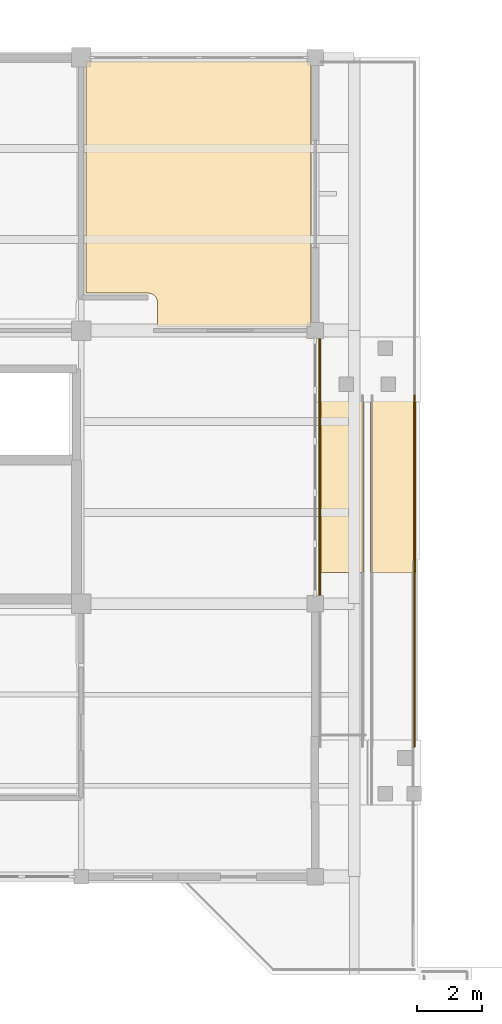
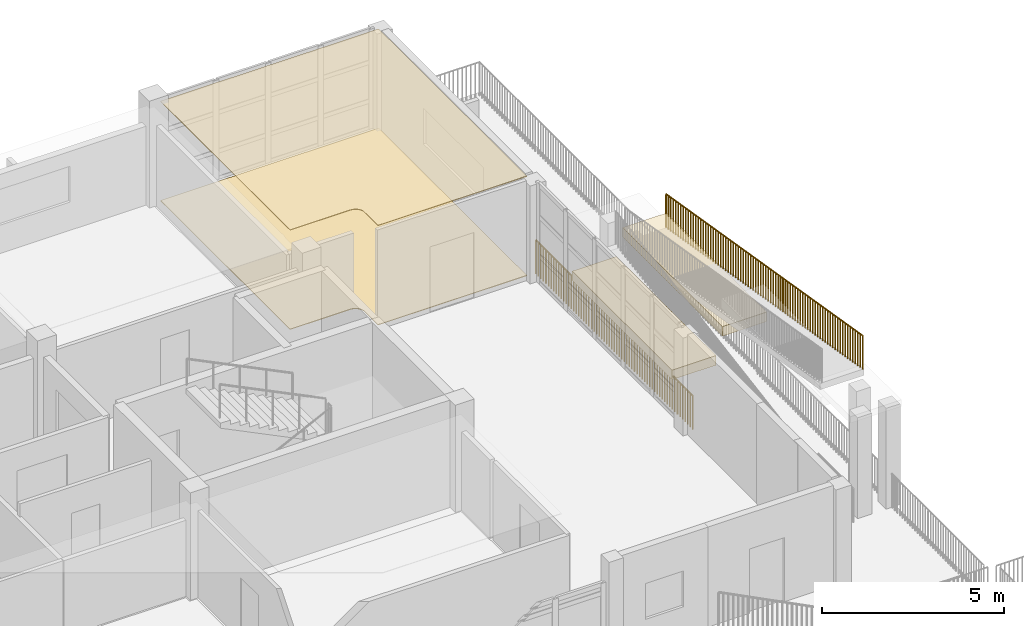
# One storey, part 32 of 33: 4 coverings, 2 railings.
"""IFC4 building model written with IfcOpenShell, lengths in metres."""

from ifc_helpers import new_model, si_unit, direction, frame, origin, origin_2d, place, context, subcontext, project, spatial, polyline, rectangle, circle, outline, extrude, material, layer, layer_set, type_object, element, save


model = new_model("IFC4")

# Units and contexts
model_context = context("Model", 3, precision=1e-05, world=origin(), true_north=direction((0.0, 1.0)))
body_context = subcontext(model_context, "Body", "Model", "MODEL_VIEW")
ifc_project = project(units=[si_unit("LENGTHUNIT", "METRE"), si_unit("AREAUNIT", "SQUARE_METRE"), si_unit("VOLUMEUNIT", "CUBIC_METRE"), si_unit("PLANEANGLEUNIT", "RADIAN"), si_unit("MASSUNIT", "GRAM", prefix="KILO")], contexts=[model_context])

# Site, building, storey
site_placement = place(None, origin())
site = spatial("IfcSite", under=ifc_project, at=site_placement, CompositionType="ELEMENT")
building_placement = place(site_placement, origin())
building = spatial("IfcBuilding", under=site, at=building_placement, Name="Vanh Quang Courtyard School", CompositionType="ELEMENT")
storey_placement = place(building_placement, frame((0.0, 0.0, 18.60009765625)))
storey = spatial("IfcBuildingStorey", under=building, at=storey_placement, Name="L05", CompositionType="ELEMENT", Elevation=18.60009765625)

# Coverings
ifc_material_1 = material(Name="Perforated mineral-fibre acoustic ceiling board")
ifc_layer_1 = layer(ifc_material_1, 0.02490234375)
ifc_layer_set_1 = layer_set([ifc_layer_1], Name="Perforated mineral-fibre acoustic ceiling board")
covering_type_1 = type_object("IfcCoveringType", Name="COV-CEIL-ACOUSTIC", PredefinedType="CEILING", material=ifc_layer_set_1)
covering_1_placement = place(storey_placement, frame((0.0, 0.0, 3.324951171875)))
element("IfcCovering", 1, at=covering_1_placement, inside=storey, type_object=covering_type_1, Name="Covering CV-CL1 (L05)", PredefinedType="CEILING", context=body_context, shape_type="SweptSolid", body=[
    extrude(outline(polyline([(102.75, 96.4599609375), (102.75, 96.4609375), (102.750244140625, 96.4619140625), (102.75048828125, 96.462890625), (102.750732421875, 96.4638671875), (102.751220703125, 96.464599609375), (102.751708984375, 96.465576171875), (102.752197265625, 96.46630859375), (102.7529296875, 96.467041015625), (102.753662109375, 96.4677734375), (102.75439453125, 96.46826171875), (102.75537109375, 96.46875), (102.756103515625, 96.46923828125), (102.757080078125, 96.469482421875), (102.758056640625, 96.4697265625), (102.759033203125, 96.469970703125), (102.760009765625, 96.469970703125), (109.659912109375, 96.469970703125), (109.660888671875, 96.469970703125), (109.662109375, 96.4697265625), (109.662841796875, 96.469482421875), (109.663818359375, 96.46923828125), (109.664794921875, 96.46875), (109.66552734375, 96.46826171875), (109.666259765625, 96.4677734375), (109.6669921875, 96.467041015625), (109.667724609375, 96.46630859375), (109.668212890625, 96.465576171875), (109.668701171875, 96.464599609375), (109.669189453125, 96.4638671875), (109.669677734375, 96.462890625), (109.669921875, 96.4619140625), (109.669921875, 96.4609375), (109.669921875, 96.4599609375), (109.669921875, 88.340087890625), (109.669921875, 88.339111328125), (109.669921875, 88.337890625), (109.669677734375, 88.337158203125), (109.669189453125, 88.336181640625), (109.668701171875, 88.335205078125), (109.668212890625, 88.33447265625), (109.667724609375, 88.333740234375), (109.6669921875, 88.3330078125), (109.666259765625, 88.332275390625), (109.66552734375, 88.331787109375), (109.664794921875, 88.331298828125), (109.663818359375, 88.330810546875), (109.662841796875, 88.330322265625), (109.662109375, 88.330078125), (109.660888671875, 88.330078125), (109.659912109375, 88.330078125), (104.9599609375, 88.330078125), (104.958984375, 88.330078125), (104.9580078125, 88.330078125), (104.95703125, 88.330322265625), (104.956298828125, 88.330810546875), (104.955322265625, 88.331298828125), (104.95458984375, 88.331787109375), (104.95361328125, 88.332275390625), (104.952880859375, 88.3330078125), (104.952392578125, 88.33349609375), (104.95166015625, 88.33447265625), (104.951171875, 88.335205078125), (104.95068359375, 88.336181640625), (104.950439453125, 88.337158203125), (104.9501953125, 88.337890625), (104.9501953125, 88.339111328125), (104.949951171875, 88.33984375), (104.9453125, 89.1103515625), (104.92529296875, 89.177001953125), (104.88818359375, 89.23876953125), (104.838623046875, 89.2880859375), (104.77685546875, 89.3251953125), (104.72314453125, 89.343017578125), (104.659423828125, 89.35009765625), (102.760009765625, 89.35009765625), (102.759033203125, 89.35009765625), (102.758056640625, 89.35009765625), (102.757080078125, 89.350341796875), (102.756103515625, 89.350830078125), (102.75537109375, 89.351318359375), (102.75439453125, 89.351806640625), (102.753662109375, 89.352294921875), (102.7529296875, 89.352783203125), (102.752197265625, 89.353759765625), (102.751708984375, 89.3544921875), (102.751220703125, 89.355224609375), (102.750732421875, 89.356201171875), (102.75048828125, 89.357177734375), (102.750244140625, 89.35791015625), (102.75, 89.35888671875), (102.75, 89.360107421875), (102.75, 96.4599609375)])), origin(), (0.0, 0.0, 1.0), 0.02490234375),
])
ifc_material_2 = material(Name="Polished cementitious terrazzo tile", Category="concrete")
ifc_layer_2 = layer(ifc_material_2, 0.02001953125)
ifc_layer_set_2 = layer_set([ifc_layer_2], Name="Polished cementitious terrazzo tile")
covering_type_2 = type_object("IfcCoveringType", Name="COV-FLR-TERRAZZO", PredefinedType="FLOORING", material=ifc_layer_set_2)
covering_2_placement = place(storey_placement, origin())
element("IfcCovering", 2, at=covering_2_placement, inside=storey, type_object=covering_type_2, Name="Covering CV-FL1 (L05)", PredefinedType="FLOORING", context=body_context, shape_type="SweptSolid", body=[
    extrude(outline(polyline([(102.75, 96.4599609375), (102.75, 96.4609375), (102.750244140625, 96.4619140625), (102.75048828125, 96.462890625), (102.750732421875, 96.4638671875), (102.751220703125, 96.464599609375), (102.751708984375, 96.465576171875), (102.752197265625, 96.46630859375), (102.7529296875, 96.467041015625), (102.753662109375, 96.4677734375), (102.75439453125, 96.46826171875), (102.75537109375, 96.46875), (102.756103515625, 96.46923828125), (102.757080078125, 96.469482421875), (102.758056640625, 96.4697265625), (102.759033203125, 96.469970703125), (102.760009765625, 96.469970703125), (109.659912109375, 96.469970703125), (109.660888671875, 96.469970703125), (109.662109375, 96.4697265625), (109.662841796875, 96.469482421875), (109.663818359375, 96.46923828125), (109.664794921875, 96.46875), (109.66552734375, 96.46826171875), (109.666259765625, 96.4677734375), (109.6669921875, 96.467041015625), (109.667724609375, 96.46630859375), (109.668212890625, 96.465576171875), (109.668701171875, 96.464599609375), (109.669189453125, 96.4638671875), (109.669677734375, 96.462890625), (109.669921875, 96.4619140625), (109.669921875, 96.4609375), (109.669921875, 96.4599609375), (109.669921875, 88.340087890625), (109.669921875, 88.339111328125), (109.669921875, 88.337890625), (109.669677734375, 88.337158203125), (109.669189453125, 88.336181640625), (109.668701171875, 88.335205078125), (109.668212890625, 88.33447265625), (109.667724609375, 88.333740234375), (109.6669921875, 88.3330078125), (109.666259765625, 88.332275390625), (109.66552734375, 88.331787109375), (109.664794921875, 88.331298828125), (109.663818359375, 88.330810546875), (109.662841796875, 88.330322265625), (109.662109375, 88.330078125), (109.660888671875, 88.330078125), (109.659912109375, 88.330078125), (104.9599609375, 88.330078125), (104.958984375, 88.330078125), (104.9580078125, 88.330078125), (104.95703125, 88.330322265625), (104.956298828125, 88.330810546875), (104.955322265625, 88.331298828125), (104.95458984375, 88.331787109375), (104.95361328125, 88.332275390625), (104.952880859375, 88.3330078125), (104.952392578125, 88.33349609375), (104.95166015625, 88.33447265625), (104.951171875, 88.335205078125), (104.95068359375, 88.336181640625), (104.950439453125, 88.337158203125), (104.9501953125, 88.337890625), (104.9501953125, 88.339111328125), (104.949951171875, 88.33984375), (104.9453125, 89.1103515625), (104.92529296875, 89.177001953125), (104.88818359375, 89.23876953125), (104.838623046875, 89.2880859375), (104.77685546875, 89.3251953125), (104.72314453125, 89.343017578125), (104.659423828125, 89.35009765625), (102.760009765625, 89.35009765625), (102.759033203125, 89.35009765625), (102.758056640625, 89.35009765625), (102.757080078125, 89.350341796875), (102.756103515625, 89.350830078125), (102.75537109375, 89.351318359375), (102.75439453125, 89.351806640625), (102.753662109375, 89.352294921875), (102.7529296875, 89.352783203125), (102.752197265625, 89.353759765625), (102.751708984375, 89.3544921875), (102.751220703125, 89.355224609375), (102.750732421875, 89.356201171875), (102.75048828125, 89.357177734375), (102.750244140625, 89.35791015625), (102.75, 89.35888671875), (102.75, 89.360107421875), (102.75, 96.4599609375)])), origin(), (0.0, 0.0, 1.0), 0.02001953125),
])
ifc_material_3 = material(Name="Board-marked precast concrete C40/50", Category="concrete")
ifc_layer_3 = layer(ifc_material_3, 0.239990234375)
ifc_layer_set_3 = layer_set([ifc_layer_3], Name="Board-marked precast concrete C40/50")
covering_type_3 = type_object("IfcCoveringType", Name="COV-HOOD-CONC", PredefinedType="CLADDING", material=ifc_layer_set_3)
for number, where, z_axis, x_axis, name in (
    (3, (110.60009765625, 83.5, 1.02978515625), (0.0, 0.0, 1.0), (1.0, 0.0, 0.0), "Covering CH-01 (L05)"),
    (4, (112.199951171875, 83.5, 1.9296875), (0.0, 0.0, 1.0), (1.0, 0.0, 0.0), "Covering CH-01 (L05)"),
):
    element("IfcCovering", number, at=place(storey_placement, frame(where, z_axis=z_axis, x_axis=x_axis)), inside=storey, type_object=covering_type_3, Name=name, PredefinedType="CLADDING", context=body_context, shape_type="SweptSolid", body=[
        extrude(rectangle(XDim=1.39990234375, YDim=5.47998046875, at=origin_2d()), origin(), (0.0, 0.0, 1.0), 0.320068359375),
    ])

# Railings
ifc_material_4 = material(Name="Galvanised painted steel EN 10025-2 S355J2", Category="steel")
railing_type = type_object("IfcRailingType", Name="RAIL-GUARD-1150", PredefinedType="BALUSTRADE", material=ifc_material_4)
railing_1_placement = place(storey_placement, frame((109.93994140625, 79.694580078125, 0.0)))
element("IfcRailing", 5, at=railing_1_placement, inside=storey, type_object=railing_type, Name="Railing GR-01 (L05)", PredefinedType="BALUSTRADE", context=body_context, shape_type="SweptSolid", body=[
    extrude(circle(Radius=0.02392578125, at=origin_2d()), frame((0.0, 0.0, 1.1259765625), z_axis=(0.0, 1.0, 0.0), x_axis=(-1.0, 0.0, 0.0)), (0.0, 0.0, 1.0), 8.61083984375),
    extrude(circle(Radius=0.02099609375, at=origin_2d()), origin(), (0.0, 0.0, 1.0), 1.101806640625),
    extrude(circle(Radius=0.02099609375, at=origin_2d()), frame((0.0, 0.138916015625, 0.0)), (0.0, 0.0, 1.0), 1.101806640625),
    extrude(circle(Radius=0.02099609375, at=origin_2d()), frame((0.0, 0.27783203125, 0.0)), (0.0, 0.0, 1.0), 1.101806640625),
    extrude(circle(Radius=0.02099609375, at=origin_2d()), frame((0.0, 0.416748046875, 0.0)), (0.0, 0.0, 1.0), 1.101806640625),
    extrude(circle(Radius=0.02099609375, at=origin_2d()), frame((0.0, 0.555419921875, 0.0)), (0.0, 0.0, 1.0), 1.101806640625),
    extrude(circle(Radius=0.02099609375, at=origin_2d()), frame((0.0, 0.6943359375, 0.0)), (0.0, 0.0, 1.0), 1.101806640625),
    extrude(circle(Radius=0.02099609375, at=origin_2d()), frame((0.0, 0.833251953125, 0.0)), (0.0, 0.0, 1.0), 1.101806640625),
    extrude(circle(Radius=0.02099609375, at=origin_2d()), frame((0.0, 0.97216796875, 0.0)), (0.0, 0.0, 1.0), 1.101806640625),
    extrude(circle(Radius=0.02099609375, at=origin_2d()), frame((0.0, 1.111083984375, 0.0)), (0.0, 0.0, 1.0), 1.101806640625),
    extrude(circle(Radius=0.02099609375, at=origin_2d()), frame((0.0, 1.25, 0.0)), (0.0, 0.0, 1.0), 1.101806640625),
    extrude(circle(Radius=0.02099609375, at=origin_2d()), frame((0.0, 1.388916015625, 0.0)), (0.0, 0.0, 1.0), 1.101806640625),
    extrude(circle(Radius=0.02099609375, at=origin_2d()), frame((0.0, 1.52783203125, 0.0)), (0.0, 0.0, 1.0), 1.101806640625),
    extrude(circle(Radius=0.02099609375, at=origin_2d()), frame((0.0, 1.66650390625, 0.0)), (0.0, 0.0, 1.0), 1.101806640625),
    extrude(circle(Radius=0.02099609375, at=origin_2d()), frame((0.0, 1.805419921875, 0.0)), (0.0, 0.0, 1.0), 1.101806640625),
    extrude(circle(Radius=0.02099609375, at=origin_2d()), frame((0.0, 1.9443359375, 0.0)), (0.0, 0.0, 1.0), 1.101806640625),
    extrude(circle(Radius=0.02099609375, at=origin_2d()), frame((0.0, 2.083251953125, 0.0)), (0.0, 0.0, 1.0), 1.101806640625),
    extrude(circle(Radius=0.02099609375, at=origin_2d()), frame((0.0, 2.22216796875, 0.0)), (0.0, 0.0, 1.0), 1.101806640625),
    extrude(circle(Radius=0.02099609375, at=origin_2d()), frame((0.0, 2.361083984375, 0.0)), (0.0, 0.0, 1.0), 1.101806640625),
    extrude(circle(Radius=0.02099609375, at=origin_2d()), frame((0.0, 2.5, 0.0)), (0.0, 0.0, 1.0), 1.101806640625),
    extrude(circle(Radius=0.02099609375, at=origin_2d()), frame((0.0, 2.638916015625, 0.0)), (0.0, 0.0, 1.0), 1.101806640625),
    extrude(circle(Radius=0.02099609375, at=origin_2d()), frame((0.0, 2.777587890625, 0.0)), (0.0, 0.0, 1.0), 1.101806640625),
    extrude(circle(Radius=0.02099609375, at=origin_2d()), frame((0.0, 2.91650390625, 0.0)), (0.0, 0.0, 1.0), 1.101806640625),
    extrude(circle(Radius=0.02099609375, at=origin_2d()), frame((0.0, 3.055419921875, 0.0)), (0.0, 0.0, 1.0), 1.101806640625),
    extrude(circle(Radius=0.02099609375, at=origin_2d()), frame((0.0, 3.1943359375, 0.0)), (0.0, 0.0, 1.0), 1.101806640625),
    extrude(circle(Radius=0.02099609375, at=origin_2d()), frame((0.0, 3.333251953125, 0.0)), (0.0, 0.0, 1.0), 1.101806640625),
    extrude(circle(Radius=0.02099609375, at=origin_2d()), frame((0.0, 3.47216796875, 0.0)), (0.0, 0.0, 1.0), 1.101806640625),
    extrude(circle(Radius=0.02099609375, at=origin_2d()), frame((0.0, 3.611083984375, 0.0)), (0.0, 0.0, 1.0), 1.101806640625),
    extrude(circle(Radius=0.02099609375, at=origin_2d()), frame((0.0, 3.75, 0.0)), (0.0, 0.0, 1.0), 1.101806640625),
    extrude(circle(Radius=0.02099609375, at=origin_2d()), frame((0.0, 3.888671875, 0.0)), (0.0, 0.0, 1.0), 1.101806640625),
    extrude(circle(Radius=0.02099609375, at=origin_2d()), frame((0.0, 4.027587890625, 0.0)), (0.0, 0.0, 1.0), 1.101806640625),
    extrude(circle(Radius=0.02099609375, at=origin_2d()), frame((0.0, 4.16650390625, 0.0)), (0.0, 0.0, 1.0), 1.101806640625),
    extrude(circle(Radius=0.02099609375, at=origin_2d()), frame((0.0, 4.305419921875, 0.0)), (0.0, 0.0, 1.0), 1.101806640625),
    extrude(circle(Radius=0.02099609375, at=origin_2d()), frame((0.0, 4.4443359375, 0.0)), (0.0, 0.0, 1.0), 1.101806640625),
    extrude(circle(Radius=0.02099609375, at=origin_2d()), frame((0.0, 4.583251953125, 0.0)), (0.0, 0.0, 1.0), 1.101806640625),
    extrude(circle(Radius=0.02099609375, at=origin_2d()), frame((0.0, 4.72216796875, 0.0)), (0.0, 0.0, 1.0), 1.101806640625),
    extrude(circle(Radius=0.02099609375, at=origin_2d()), frame((0.0, 4.86083984375, 0.0)), (0.0, 0.0, 1.0), 1.101806640625),
    extrude(circle(Radius=0.02099609375, at=origin_2d()), frame((0.0, 4.999755859375, 0.0)), (0.0, 0.0, 1.0), 1.101806640625),
    extrude(circle(Radius=0.02099609375, at=origin_2d()), frame((0.0, 5.138671875, 0.0)), (0.0, 0.0, 1.0), 1.101806640625),
    extrude(circle(Radius=0.02099609375, at=origin_2d()), frame((0.0, 5.277587890625, 0.0)), (0.0, 0.0, 1.0), 1.101806640625),
    extrude(circle(Radius=0.02099609375, at=origin_2d()), frame((0.0, 5.41650390625, 0.0)), (0.0, 0.0, 1.0), 1.101806640625),
    extrude(circle(Radius=0.02099609375, at=origin_2d()), frame((0.0, 5.555419921875, 0.0)), (0.0, 0.0, 1.0), 1.101806640625),
    extrude(circle(Radius=0.02099609375, at=origin_2d()), frame((0.0, 5.6943359375, 0.0)), (0.0, 0.0, 1.0), 1.101806640625),
    extrude(circle(Radius=0.02099609375, at=origin_2d()), frame((0.0, 5.833251953125, 0.0)), (0.0, 0.0, 1.0), 1.101806640625),
    extrude(circle(Radius=0.02099609375, at=origin_2d()), frame((0.0, 5.971923828125, 0.0)), (0.0, 0.0, 1.0), 1.101806640625),
    extrude(circle(Radius=0.02099609375, at=origin_2d()), frame((0.0, 6.11083984375, 0.0)), (0.0, 0.0, 1.0), 1.101806640625),
    extrude(circle(Radius=0.02099609375, at=origin_2d()), frame((0.0, 6.249755859375, 0.0)), (0.0, 0.0, 1.0), 1.101806640625),
    extrude(circle(Radius=0.02099609375, at=origin_2d()), frame((0.0, 6.388671875, 0.0)), (0.0, 0.0, 1.0), 1.101806640625),
    extrude(circle(Radius=0.02099609375, at=origin_2d()), frame((0.0, 6.527587890625, 0.0)), (0.0, 0.0, 1.0), 1.101806640625),
    extrude(circle(Radius=0.02099609375, at=origin_2d()), frame((0.0, 6.66650390625, 0.0)), (0.0, 0.0, 1.0), 1.101806640625),
    extrude(circle(Radius=0.02099609375, at=origin_2d()), frame((0.0, 6.805419921875, 0.0)), (0.0, 0.0, 1.0), 1.101806640625),
    extrude(circle(Radius=0.02099609375, at=origin_2d()), frame((0.0, 6.9443359375, 0.0)), (0.0, 0.0, 1.0), 1.101806640625),
    extrude(circle(Radius=0.02099609375, at=origin_2d()), frame((0.0, 7.0830078125, 0.0)), (0.0, 0.0, 1.0), 1.101806640625),
    extrude(circle(Radius=0.02099609375, at=origin_2d()), frame((0.0, 7.221923828125, 0.0)), (0.0, 0.0, 1.0), 1.101806640625),
    extrude(circle(Radius=0.02099609375, at=origin_2d()), frame((0.0, 7.36083984375, 0.0)), (0.0, 0.0, 1.0), 1.101806640625),
    extrude(circle(Radius=0.02099609375, at=origin_2d()), frame((0.0, 7.499755859375, 0.0)), (0.0, 0.0, 1.0), 1.101806640625),
    extrude(circle(Radius=0.02099609375, at=origin_2d()), frame((0.0, 7.638671875, 0.0)), (0.0, 0.0, 1.0), 1.101806640625),
    extrude(circle(Radius=0.02099609375, at=origin_2d()), frame((0.0, 7.777587890625, 0.0)), (0.0, 0.0, 1.0), 1.101806640625),
    extrude(circle(Radius=0.02099609375, at=origin_2d()), frame((0.0, 7.91650390625, 0.0)), (0.0, 0.0, 1.0), 1.101806640625),
    extrude(circle(Radius=0.02099609375, at=origin_2d()), frame((0.0, 8.055419921875, 0.0)), (0.0, 0.0, 1.0), 1.101806640625),
    extrude(circle(Radius=0.02099609375, at=origin_2d()), frame((0.0, 8.194091796875, 0.0)), (0.0, 0.0, 1.0), 1.101806640625),
    extrude(circle(Radius=0.02099609375, at=origin_2d()), frame((0.0, 8.3330078125, 0.0)), (0.0, 0.0, 1.0), 1.101806640625),
    extrude(circle(Radius=0.02099609375, at=origin_2d()), frame((0.0, 8.471923828125, 0.0)), (0.0, 0.0, 1.0), 1.101806640625),
    extrude(circle(Radius=0.02099609375, at=origin_2d()), frame((0.0, 8.61083984375, 0.0)), (0.0, 0.0, 1.0), 1.101806640625),
])
railing_2_placement = place(storey_placement, frame((112.85009765625, 86.199951171875, 1.7998046875)))
element("IfcRailing", 6, at=railing_2_placement, inside=storey, type_object=railing_type, Name="Railing GR-01 (L05)", PredefinedType="BALUSTRADE", context=body_context, shape_type="SweptSolid", body=[
    extrude(circle(Radius=0.02392578125, at=origin_2d()), frame((0.0, 0.0, 1.1259765625), z_axis=(0.0, -0.986393321179, 0.164402603184), x_axis=(1.0, 0.0, 0.0)), (0.0, 0.0, 1.0), 10.948974609375),
    extrude(circle(Radius=0.02099609375, at=origin_2d()), origin(), (0.0, 0.0, 1.0), 1.101806640625),
    extrude(circle(Radius=0.02099609375, at=origin_2d()), frame((0.0, -0.13671875, 0.022705078125)), (0.0, 0.0, 1.0), 1.101806640625),
    extrude(circle(Radius=0.02099609375, at=origin_2d()), frame((0.0, -0.2734375, 0.045654296875)), (0.0, 0.0, 1.0), 1.101806640625),
    extrude(circle(Radius=0.02099609375, at=origin_2d()), frame((0.0, -0.41015625, 0.068359375)), (0.0, 0.0, 1.0), 1.101806640625),
    extrude(circle(Radius=0.02099609375, at=origin_2d()), frame((0.0, -0.546875, 0.091064453125)), (0.0, 0.0, 1.0), 1.101806640625),
    extrude(circle(Radius=0.02099609375, at=origin_2d()), frame((0.0, -0.68359375, 0.114013671875)), (0.0, 0.0, 1.0), 1.101806640625),
    extrude(circle(Radius=0.02099609375, at=origin_2d()), frame((0.0, -0.8203125, 0.13671875)), (0.0, 0.0, 1.0), 1.101806640625),
    extrude(circle(Radius=0.02099609375, at=origin_2d()), frame((0.0, -0.95703125, 0.159423828125)), (0.0, 0.0, 1.0), 1.101806640625),
    extrude(circle(Radius=0.02099609375, at=origin_2d()), frame((0.0, -1.09375, 0.182373046875)), (0.0, 0.0, 1.0), 1.101806640625),
    extrude(circle(Radius=0.02099609375, at=origin_2d()), frame((0.0, -1.23046875, 0.205078125)), (0.0, 0.0, 1.0), 1.101806640625),
    extrude(circle(Radius=0.02099609375, at=origin_2d()), frame((0.0, -1.3671875, 0.227783203125)), (0.0, 0.0, 1.0), 1.101806640625),
    extrude(circle(Radius=0.02099609375, at=origin_2d()), frame((0.0, -1.50390625, 0.250732421875)), (0.0, 0.0, 1.0), 1.101806640625),
    extrude(circle(Radius=0.02099609375, at=origin_2d()), frame((0.0, -1.640625, 0.2734375)), (0.0, 0.0, 1.0), 1.101806640625),
    extrude(circle(Radius=0.02099609375, at=origin_2d()), frame((0.0, -1.77734375, 0.296142578125)), (0.0, 0.0, 1.0), 1.101806640625),
    extrude(circle(Radius=0.02099609375, at=origin_2d()), frame((0.0, -1.913818359375, 0.319091796875)), (0.0, 0.0, 1.0), 1.101806640625),
    extrude(circle(Radius=0.02099609375, at=origin_2d()), frame((0.0, -2.050537109375, 0.341796875)), (0.0, 0.0, 1.0), 1.101806640625),
    extrude(circle(Radius=0.02099609375, at=origin_2d()), frame((0.0, -2.187255859375, 0.364501953125)), (0.0, 0.0, 1.0), 1.101806640625),
    extrude(circle(Radius=0.02099609375, at=origin_2d()), frame((0.0, -2.323974609375, 0.387451171875)), (0.0, 0.0, 1.0), 1.101806640625),
    extrude(circle(Radius=0.02099609375, at=origin_2d()), frame((0.0, -2.460693359375, 0.41015625)), (0.0, 0.0, 1.0), 1.101806640625),
    extrude(circle(Radius=0.02099609375, at=origin_2d()), frame((0.0, -2.597412109375, 0.432861328125)), (0.0, 0.0, 1.0), 1.101806640625),
    extrude(circle(Radius=0.02099609375, at=origin_2d()), frame((0.0, -2.734130859375, 0.455810546875)), (0.0, 0.0, 1.0), 1.101806640625),
    extrude(circle(Radius=0.02099609375, at=origin_2d()), frame((0.0, -2.870849609375, 0.478515625)), (0.0, 0.0, 1.0), 1.101806640625),
    extrude(circle(Radius=0.02099609375, at=origin_2d()), frame((0.0, -3.007568359375, 0.501220703125)), (0.0, 0.0, 1.0), 1.101806640625),
    extrude(circle(Radius=0.02099609375, at=origin_2d()), frame((0.0, -3.144287109375, 0.524169921875)), (0.0, 0.0, 1.0), 1.101806640625),
    extrude(circle(Radius=0.02099609375, at=origin_2d()), frame((0.0, -3.281005859375, 0.546875)), (0.0, 0.0, 1.0), 1.101806640625),
    extrude(circle(Radius=0.02099609375, at=origin_2d()), frame((0.0, -3.417724609375, 0.569580078125)), (0.0, 0.0, 1.0), 1.101806640625),
    extrude(circle(Radius=0.02099609375, at=origin_2d()), frame((0.0, -3.554443359375, 0.592529296875)), (0.0, 0.0, 1.0), 1.101806640625),
    extrude(circle(Radius=0.02099609375, at=origin_2d()), frame((0.0, -3.691162109375, 0.615234375)), (0.0, 0.0, 1.0), 1.101806640625),
    extrude(circle(Radius=0.02099609375, at=origin_2d()), frame((0.0, -3.827880859375, 0.637939453125)), (0.0, 0.0, 1.0), 1.101806640625),
    extrude(circle(Radius=0.02099609375, at=origin_2d()), frame((0.0, -3.964599609375, 0.660888671875)), (0.0, 0.0, 1.0), 1.101806640625),
    extrude(circle(Radius=0.02099609375, at=origin_2d()), frame((0.0, -4.101318359375, 0.68359375)), (0.0, 0.0, 1.0), 1.101806640625),
    extrude(circle(Radius=0.02099609375, at=origin_2d()), frame((0.0, -4.238037109375, 0.706298828125)), (0.0, 0.0, 1.0), 1.101806640625),
    extrude(circle(Radius=0.02099609375, at=origin_2d()), frame((0.0, -4.374755859375, 0.729248046875)), (0.0, 0.0, 1.0), 1.101806640625),
    extrude(circle(Radius=0.02099609375, at=origin_2d()), frame((0.0, -4.511474609375, 0.751953125)), (0.0, 0.0, 1.0), 1.101806640625),
    extrude(circle(Radius=0.02099609375, at=origin_2d()), frame((0.0, -4.648193359375, 0.774658203125)), (0.0, 0.0, 1.0), 1.101806640625),
    extrude(circle(Radius=0.02099609375, at=origin_2d()), frame((0.0, -4.784912109375, 0.797607421875)), (0.0, 0.0, 1.0), 1.101806640625),
    extrude(circle(Radius=0.02099609375, at=origin_2d()), frame((0.0, -4.921630859375, 0.8203125)), (0.0, 0.0, 1.0), 1.101806640625),
    extrude(circle(Radius=0.02099609375, at=origin_2d()), frame((0.0, -5.058349609375, 0.843017578125)), (0.0, 0.0, 1.0), 1.101806640625),
    extrude(circle(Radius=0.02099609375, at=origin_2d()), frame((0.0, -5.195068359375, 0.865966796875)), (0.0, 0.0, 1.0), 1.101806640625),
    extrude(circle(Radius=0.02099609375, at=origin_2d()), frame((0.0, -5.331787109375, 0.888671875)), (0.0, 0.0, 1.0), 1.101806640625),
    extrude(circle(Radius=0.02099609375, at=origin_2d()), frame((0.0, -5.46826171875, 0.911376953125)), (0.0, 0.0, 1.0), 1.101806640625),
    extrude(circle(Radius=0.02099609375, at=origin_2d()), frame((0.0, -5.60498046875, 0.93408203125)), (0.0, 0.0, 1.0), 1.101806640625),
    extrude(circle(Radius=0.02099609375, at=origin_2d()), frame((0.0, -5.74169921875, 0.95703125)), (0.0, 0.0, 1.0), 1.101806640625),
    extrude(circle(Radius=0.02099609375, at=origin_2d()), frame((0.0, -5.87841796875, 0.979736328125)), (0.0, 0.0, 1.0), 1.101806640625),
    extrude(circle(Radius=0.02099609375, at=origin_2d()), frame((0.0, -6.01513671875, 1.00244140625)), (0.0, 0.0, 1.0), 1.101806640625),
    extrude(circle(Radius=0.02099609375, at=origin_2d()), frame((0.0, -6.15185546875, 1.025390625)), (0.0, 0.0, 1.0), 1.101806640625),
    extrude(circle(Radius=0.02099609375, at=origin_2d()), frame((0.0, -6.28857421875, 1.048095703125)), (0.0, 0.0, 1.0), 1.101806640625),
    extrude(circle(Radius=0.02099609375, at=origin_2d()), frame((0.0, -6.42529296875, 1.07080078125)), (0.0, 0.0, 1.0), 1.101806640625),
    extrude(circle(Radius=0.02099609375, at=origin_2d()), frame((0.0, -6.56201171875, 1.09375)), (0.0, 0.0, 1.0), 1.101806640625),
    extrude(circle(Radius=0.02099609375, at=origin_2d()), frame((0.0, -6.69873046875, 1.116455078125)), (0.0, 0.0, 1.0), 1.101806640625),
    extrude(circle(Radius=0.02099609375, at=origin_2d()), frame((0.0, -6.83544921875, 1.13916015625)), (0.0, 0.0, 1.0), 1.101806640625),
    extrude(circle(Radius=0.02099609375, at=origin_2d()), frame((0.0, -6.97216796875, 1.162109375)), (0.0, 0.0, 1.0), 1.101806640625),
    extrude(circle(Radius=0.02099609375, at=origin_2d()), frame((0.0, -7.10888671875, 1.184814453125)), (0.0, 0.0, 1.0), 1.101806640625),
    extrude(circle(Radius=0.02099609375, at=origin_2d()), frame((0.0, -7.24560546875, 1.20751953125)), (0.0, 0.0, 1.0), 1.101806640625),
    extrude(circle(Radius=0.02099609375, at=origin_2d()), frame((0.0, -7.38232421875, 1.23046875)), (0.0, 0.0, 1.0), 1.101806640625),
    extrude(circle(Radius=0.02099609375, at=origin_2d()), frame((0.0, -7.51904296875, 1.253173828125)), (0.0, 0.0, 1.0), 1.101806640625),
    extrude(circle(Radius=0.02099609375, at=origin_2d()), frame((0.0, -7.65576171875, 1.27587890625)), (0.0, 0.0, 1.0), 1.101806640625),
    extrude(circle(Radius=0.02099609375, at=origin_2d()), frame((0.0, -7.79248046875, 1.298828125)), (0.0, 0.0, 1.0), 1.101806640625),
    extrude(circle(Radius=0.02099609375, at=origin_2d()), frame((0.0, -7.92919921875, 1.321533203125)), (0.0, 0.0, 1.0), 1.101806640625),
    extrude(circle(Radius=0.02099609375, at=origin_2d()), frame((0.0, -8.06591796875, 1.34423828125)), (0.0, 0.0, 1.0), 1.101806640625),
    extrude(circle(Radius=0.02099609375, at=origin_2d()), frame((0.0, -8.20263671875, 1.3671875)), (0.0, 0.0, 1.0), 1.101806640625),
    extrude(circle(Radius=0.02099609375, at=origin_2d()), frame((0.0, -8.33935546875, 1.389892578125)), (0.0, 0.0, 1.0), 1.101806640625),
    extrude(circle(Radius=0.02099609375, at=origin_2d()), frame((0.0, -8.47607421875, 1.41259765625)), (0.0, 0.0, 1.0), 1.101806640625),
    extrude(circle(Radius=0.02099609375, at=origin_2d()), frame((0.0, -8.61279296875, 1.435546875)), (0.0, 0.0, 1.0), 1.101806640625),
    extrude(circle(Radius=0.02099609375, at=origin_2d()), frame((0.0, -8.74951171875, 1.458251953125)), (0.0, 0.0, 1.0), 1.101806640625),
    extrude(circle(Radius=0.02099609375, at=origin_2d()), frame((0.0, -8.88623046875, 1.48095703125)), (0.0, 0.0, 1.0), 1.101806640625),
    extrude(circle(Radius=0.02099609375, at=origin_2d()), frame((0.0, -9.022705078125, 1.50390625)), (0.0, 0.0, 1.0), 1.101806640625),
    extrude(circle(Radius=0.02099609375, at=origin_2d()), frame((0.0, -9.159423828125, 1.526611328125)), (0.0, 0.0, 1.0), 1.101806640625),
    extrude(circle(Radius=0.02099609375, at=origin_2d()), frame((0.0, -9.296142578125, 1.54931640625)), (0.0, 0.0, 1.0), 1.101806640625),
    extrude(circle(Radius=0.02099609375, at=origin_2d()), frame((0.0, -9.432861328125, 1.572265625)), (0.0, 0.0, 1.0), 1.101806640625),
    extrude(circle(Radius=0.02099609375, at=origin_2d()), frame((0.0, -9.569580078125, 1.594970703125)), (0.0, 0.0, 1.0), 1.101806640625),
    extrude(circle(Radius=0.02099609375, at=origin_2d()), frame((0.0, -9.706298828125, 1.61767578125)), (0.0, 0.0, 1.0), 1.101806640625),
    extrude(circle(Radius=0.02099609375, at=origin_2d()), frame((0.0, -9.843017578125, 1.640625)), (0.0, 0.0, 1.0), 1.101806640625),
    extrude(circle(Radius=0.02099609375, at=origin_2d()), frame((0.0, -9.979736328125, 1.663330078125)), (0.0, 0.0, 1.0), 1.101806640625),
    extrude(circle(Radius=0.02099609375, at=origin_2d()), frame((0.0, -10.116455078125, 1.68603515625)), (0.0, 0.0, 1.0), 1.101806640625),
    extrude(circle(Radius=0.02099609375, at=origin_2d()), frame((0.0, -10.253173828125, 1.708984375)), (0.0, 0.0, 1.0), 1.101806640625),
    extrude(circle(Radius=0.02099609375, at=origin_2d()), frame((0.0, -10.389892578125, 1.731689453125)), (0.0, 0.0, 1.0), 1.101806640625),
    extrude(circle(Radius=0.02099609375, at=origin_2d()), frame((0.0, -10.526611328125, 1.75439453125)), (0.0, 0.0, 1.0), 1.101806640625),
    extrude(circle(Radius=0.02099609375, at=origin_2d()), frame((0.0, -10.663330078125, 1.77734375)), (0.0, 0.0, 1.0), 1.101806640625),
    extrude(circle(Radius=0.02099609375, at=origin_2d()), frame((0.0, -10.800048828125, 1.800048828125)), (0.0, 0.0, 1.0), 1.101806640625),
])

save(model, "model.ifc")
